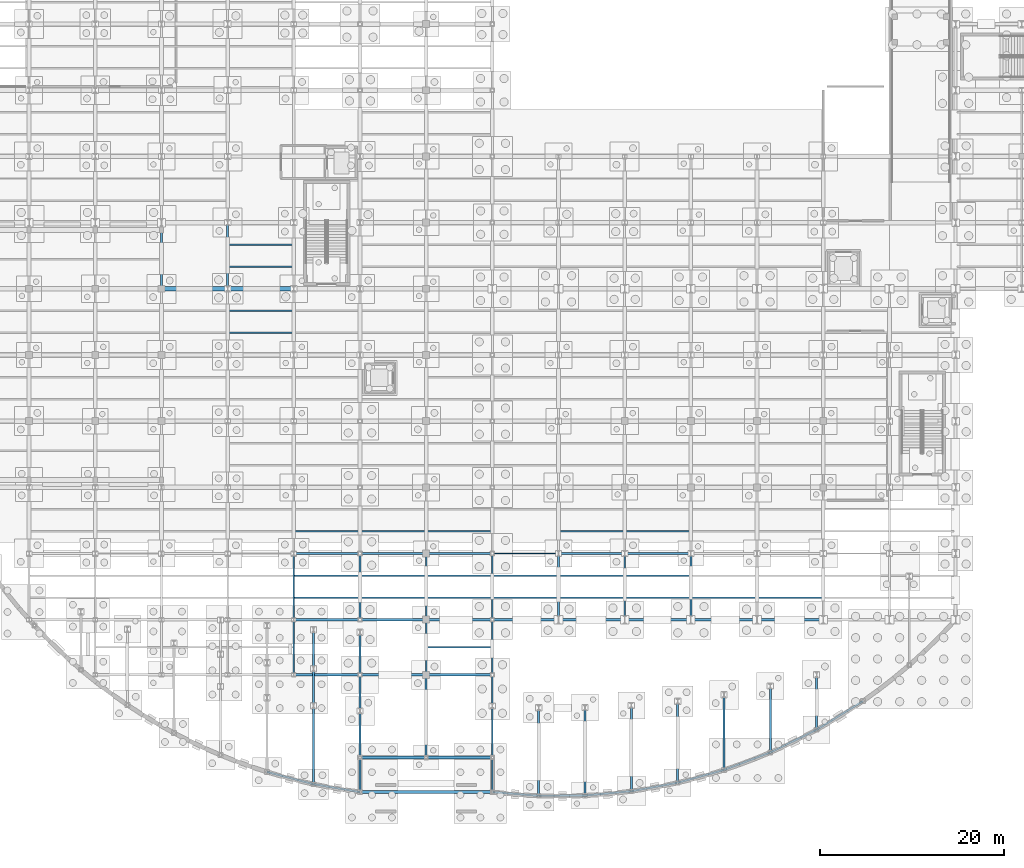
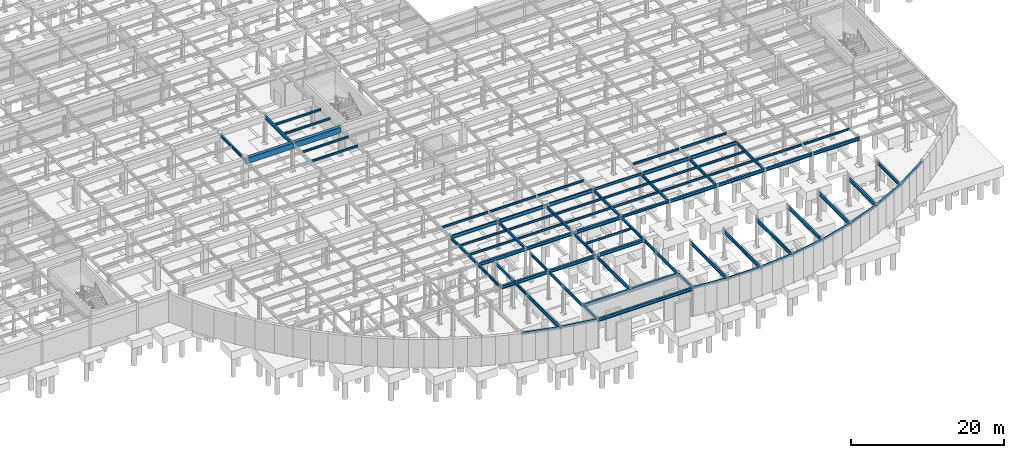
# One storey, part 34 of 64: 86 beams.
"""IFC4 building model written with IfcOpenShell, lengths in metres."""

from ifc_helpers import new_model, si_unit, direction, frame, origin, origin_2d, place, context, subcontext, project, spatial, rectangle, hollow_rectangle, i_section, extrude, material, material_profile, profile_set, type_object, element, save


model = new_model("IFC4")

# Units and contexts
model_context = context("Model", 3, precision=1e-05, world=origin(), true_north=direction((0.0, 1.0)))
body_context = subcontext(model_context, "Body", "Model", "MODEL_VIEW")
ifc_project = project(units=[si_unit("LENGTHUNIT", "METRE"), si_unit("AREAUNIT", "SQUARE_METRE"), si_unit("VOLUMEUNIT", "CUBIC_METRE"), si_unit("PLANEANGLEUNIT", "RADIAN"), si_unit("MASSUNIT", "GRAM", prefix="KILO")], contexts=[model_context])

# Site, building, storey
site_placement = place(None, origin())
site = spatial("IfcSite", under=ifc_project, at=site_placement, CompositionType="ELEMENT")
building_placement = place(site_placement, origin())
building = spatial("IfcBuilding", under=site, at=building_placement, Name="Solvadek Multi-Sports Hall", CompositionType="ELEMENT")
storey_placement = place(building_placement, frame((0.0, 0.0, -4.800048828125)))
storey = spatial("IfcBuildingStorey", under=building, at=storey_placement, Name="B1", CompositionType="ELEMENT", Elevation=-4.800048828125)

# Beams
ifc_material_1 = material(Name="Steel E350 (350 MPa)", Category="steel")
ifc_material_profile_1 = material_profile(ifc_material_1, i_section(OverallWidth=0.139892578125, OverallDepth=0.39990234375, WebThickness=0.0087890625, FlangeThickness=0.01611328125, at=origin_2d()), Name="ISMB 400")
ifc_profile_set_1 = profile_set([ifc_material_profile_1], Name="Steel E350 (350 MPa)")
beam_type_1 = type_object("IfcBeamType", Name="STR-BM-ISMB400", PredefinedType="BEAM", material=ifc_profile_set_1)
beam_1_placement = place(storey_placement, frame((86.39990234375, 13.199951171875, 4.35009765625), z_axis=(1.0, 0.0, 0.0), x_axis=(0.0, 1.0, 0.0)))
element("IfcBeam", 1, at=beam_1_placement, inside=storey, type_object=beam_type_1, Name="B1 Girder B-10 #31", PredefinedType="BEAM", context=body_context, shape_type="SweptSolid", body=[
    extrude(i_section(OverallWidth=0.139892578125, OverallDepth=0.39990234375, WebThickness=0.0087890625, FlangeThickness=0.01611328125, at=origin_2d()), origin(), (0.0, 0.0, 1.0), 7.2001953125),
])
ifc_material_profile_2 = material_profile(ifc_material_1, i_section(OverallWidth=0.18994140625, OverallDepth=0.550048828125, WebThickness=0.01123046875, FlangeThickness=0.019287109375, at=origin_2d()), Name="ISMB 550")
ifc_profile_set_2 = profile_set([ifc_material_profile_2], Name="Steel E350 (350 MPa)")
beam_type_2 = type_object("IfcBeamType", Name="STR-BM-ISMB550", PredefinedType="BEAM", material=ifc_profile_set_2)
for number, where, z_axis, x_axis, name in (
    (2, (64.800048828125, 13.199951171875, 4.275146484375), (1.0, 0.0, 0.0), (0.0, 1.0, 0.0), "B1 Girder B-06 #28"),
    (3, (72.0, 13.199951171875, 4.275146484375), (1.0, 0.0, 0.0), (0.0, 1.0, 0.0), "B1 Girder B-06 #29"),
    (4, (79.199951171875, 13.199951171875, 4.275146484375), (1.0, 0.0, 0.0), (0.0, 1.0, 0.0), "B1 Girder B-06 #30"),
    (5, (93.60009765625, 13.199951171875, 4.275146484375), (1.0, 0.0, 0.0), (0.0, 1.0, 0.0), "B1 Girder B-06 #32"),
    (6, (100.800048828125, 13.199951171875, 4.275146484375), (1.0, 0.0, 0.0), (0.0, 1.0, 0.0), "B1 Girder B-06 #33"),
):
    element("IfcBeam", number, at=place(storey_placement, frame(where, z_axis=z_axis, x_axis=x_axis)), inside=storey, type_object=beam_type_2, Name=name, PredefinedType="BEAM", context=body_context, shape_type="SweptSolid", body=[
        extrude(i_section(OverallWidth=0.18994140625, OverallDepth=0.550048828125, WebThickness=0.01123046875, FlangeThickness=0.019287109375, at=origin_2d()), origin(), (0.0, 0.0, 1.0), 7.199951171875),
    ])
ifc_material_profile_3 = material_profile(ifc_material_1, i_section(OverallWidth=0.18994140625, OverallDepth=0.449951171875, WebThickness=0.009521484375, FlangeThickness=0.0146484375, at=origin_2d()), Name="NPB 450")
ifc_profile_set_3 = profile_set([ifc_material_profile_3], Name="Steel E350 (350 MPa)")
beam_type_3 = type_object("IfcBeamType", Name="STR-BM-NPB450", PredefinedType="BEAM", material=ifc_profile_set_3)
beam_2_placement = place(storey_placement, frame((50.39990234375, 42.0, 4.324951171875), z_axis=(0.0, 1.0, 0.0), x_axis=(-1.0, 0.0, 0.0)))
element("IfcBeam", 7, at=beam_2_placement, inside=storey, type_object=beam_type_3, Name="B1 Girder B-08 #353", PredefinedType="BEAM", context=body_context, shape_type="SweptSolid", body=[
    extrude(i_section(OverallWidth=0.18994140625, OverallDepth=0.449951171875, WebThickness=0.009521484375, FlangeThickness=0.0146484375, at=origin_2d()), origin(), (0.0, 0.0, 1.0), 6.39990234375),
])
beam_3_placement = place(storey_placement, frame((64.800048828125, 0.0, 4.324951171875), z_axis=(0.0, 1.0, 0.0), x_axis=(-1.0, 0.0, 0.0)))
element("IfcBeam", 8, at=beam_3_placement, inside=storey, type_object=beam_type_3, Name="B1 Girder B-08 #384", PredefinedType="BEAM", context=body_context, shape_type="SweptSolid", body=[
    extrude(i_section(OverallWidth=0.18994140625, OverallDepth=0.449951171875, WebThickness=0.009521484375, FlangeThickness=0.0146484375, at=origin_2d()), origin(), (0.0, 0.0, 1.0), 6.0),
])
beam_4_placement = place(storey_placement, frame((64.800048828125, 6.0, 4.324951171875), z_axis=(0.0, 1.0, 0.0), x_axis=(-1.0, 0.0, 0.0)))
element("IfcBeam", 9, at=beam_4_placement, inside=storey, type_object=beam_type_3, Name="B1 Girder B-08 #385", PredefinedType="BEAM", context=body_context, shape_type="SweptSolid", body=[
    extrude(i_section(OverallWidth=0.18994140625, OverallDepth=0.449951171875, WebThickness=0.009521484375, FlangeThickness=0.0146484375, at=origin_2d()), origin(), (0.0, 0.0, 1.0), 7.199951171875),
])
beam_5_placement = place(storey_placement, frame((66.939453125, -3.362060546875, 4.324951171875), z_axis=(0.0, 1.0, 0.0), x_axis=(-1.0, 0.0, 0.0)))
element("IfcBeam", 10, at=beam_5_placement, inside=storey, type_object=beam_type_3, Name="B1 Girder B-08 #399", PredefinedType="BEAM", context=body_context, shape_type="SweptSolid", body=[
    extrude(i_section(OverallWidth=0.18994140625, OverallDepth=0.449951171875, WebThickness=0.009521484375, FlangeThickness=0.0146484375, at=origin_2d()), origin(), (0.0, 0.0, 1.0), 4.01513671875),
])
beam_6_placement = place(storey_placement, frame((66.939453125, 0.653076171875, 4.324951171875), z_axis=(0.0, 1.0, 0.0), x_axis=(-1.0, 0.0, 0.0)))
element("IfcBeam", 11, at=beam_6_placement, inside=storey, type_object=beam_type_3, Name="B1 Girder B-08 #400", PredefinedType="BEAM", context=body_context, shape_type="SweptSolid", body=[
    extrude(i_section(OverallWidth=0.18994140625, OverallDepth=0.449951171875, WebThickness=0.009521484375, FlangeThickness=0.0146484375, at=origin_2d()), origin(), (0.0, 0.0, 1.0), 4.265869140625),
])
beam_7_placement = place(storey_placement, frame((72.0, -12.7529296875, 4.324951171875), z_axis=(0.0, 1.0, 0.0), x_axis=(-1.0, 0.0, 0.0)))
element("IfcBeam", 12, at=beam_7_placement, inside=storey, type_object=beam_type_3, Name="B1 Girder B-08 #401", PredefinedType="BEAM", context=body_context, shape_type="SweptSolid", body=[
    extrude(i_section(OverallWidth=0.18994140625, OverallDepth=0.449951171875, WebThickness=0.009521484375, FlangeThickness=0.0146484375, at=origin_2d()), origin(), (0.0, 0.0, 1.0), 3.7529296875),
])
beam_8_placement = place(storey_placement, frame((72.0, -9.0, 4.324951171875), z_axis=(0.0, 1.0, 0.0), x_axis=(-1.0, 0.0, 0.0)))
element("IfcBeam", 13, at=beam_8_placement, inside=storey, type_object=beam_type_3, Name="B1 Girder B-08 #402", PredefinedType="BEAM", context=body_context, shape_type="SweptSolid", body=[
    extrude(i_section(OverallWidth=0.18994140625, OverallDepth=0.449951171875, WebThickness=0.009521484375, FlangeThickness=0.0146484375, at=origin_2d()), origin(), (0.0, 0.0, 1.0), 5.071044921875),
])
beam_9_placement = place(storey_placement, frame((72.0, -3.928955078125, 4.324951171875), z_axis=(0.0, 1.0, 0.0), x_axis=(-1.0, 0.0, 0.0)))
element("IfcBeam", 14, at=beam_9_placement, inside=storey, type_object=beam_type_3, Name="B1 Girder B-08 #403", PredefinedType="BEAM", context=body_context, shape_type="SweptSolid", body=[
    extrude(i_section(OverallWidth=0.18994140625, OverallDepth=0.449951171875, WebThickness=0.009521484375, FlangeThickness=0.0146484375, at=origin_2d()), origin(), (0.0, 0.0, 1.0), 3.928955078125),
])
beam_10_placement = place(storey_placement, frame((72.0, 0.0, 4.324951171875), z_axis=(0.0, 1.0, 0.0), x_axis=(-1.0, 0.0, 0.0)))
element("IfcBeam", 15, at=beam_10_placement, inside=storey, type_object=beam_type_3, Name="B1 Girder B-08 #404", PredefinedType="BEAM", context=body_context, shape_type="SweptSolid", body=[
    extrude(i_section(OverallWidth=0.18994140625, OverallDepth=0.449951171875, WebThickness=0.009521484375, FlangeThickness=0.0146484375, at=origin_2d()), origin(), (0.0, 0.0, 1.0), 4.635498046875),
])
beam_11_placement = place(storey_placement, frame((72.0, 6.0, 4.324951171875), z_axis=(0.0, 1.0, 0.0), x_axis=(-1.0, 0.0, 0.0)))
element("IfcBeam", 16, at=beam_11_placement, inside=storey, type_object=beam_type_3, Name="B1 Girder B-08 #405", PredefinedType="BEAM", context=body_context, shape_type="SweptSolid", body=[
    extrude(i_section(OverallWidth=0.18994140625, OverallDepth=0.449951171875, WebThickness=0.009521484375, FlangeThickness=0.0146484375, at=origin_2d()), origin(), (0.0, 0.0, 1.0), 7.199951171875),
])
beam_12_placement = place(storey_placement, frame((79.199951171875, 0.0, 4.324951171875), z_axis=(0.0, 1.0, 0.0), x_axis=(-1.0, 0.0, 0.0)))
element("IfcBeam", 17, at=beam_12_placement, inside=storey, type_object=beam_type_3, Name="B1 Girder B-08 #420", PredefinedType="BEAM", context=body_context, shape_type="SweptSolid", body=[
    extrude(i_section(OverallWidth=0.18994140625, OverallDepth=0.449951171875, WebThickness=0.009521484375, FlangeThickness=0.0146484375, at=origin_2d()), origin(), (0.0, 0.0, 1.0), 6.0),
])
beam_13_placement = place(storey_placement, frame((79.199951171875, 6.0, 4.324951171875), z_axis=(0.0, 1.0, 0.0), x_axis=(-1.0, 0.0, 0.0)))
element("IfcBeam", 18, at=beam_13_placement, inside=storey, type_object=beam_type_3, Name="B1 Girder B-08 #421", PredefinedType="BEAM", context=body_context, shape_type="SweptSolid", body=[
    extrude(i_section(OverallWidth=0.18994140625, OverallDepth=0.449951171875, WebThickness=0.009521484375, FlangeThickness=0.0146484375, at=origin_2d()), origin(), (0.0, 0.0, 1.0), 7.199951171875),
])
beam_14_placement = place(storey_placement, frame((86.39990234375, -12.7529296875, 4.324951171875), z_axis=(0.0, 1.0, 0.0), x_axis=(-1.0, 0.0, 0.0)))
element("IfcBeam", 19, at=beam_14_placement, inside=storey, type_object=beam_type_3, Name="B1 Girder B-08 #433", PredefinedType="BEAM", context=body_context, shape_type="SweptSolid", body=[
    extrude(i_section(OverallWidth=0.18994140625, OverallDepth=0.449951171875, WebThickness=0.009521484375, FlangeThickness=0.0146484375, at=origin_2d()), origin(), (0.0, 0.0, 1.0), 3.7529296875),
])
beam_15_placement = place(storey_placement, frame((86.39990234375, -9.0, 4.324951171875), z_axis=(0.0, 1.0, 0.0), x_axis=(-1.0, 0.0, 0.0)))
element("IfcBeam", 20, at=beam_15_placement, inside=storey, type_object=beam_type_3, Name="B1 Girder B-08 #434", PredefinedType="BEAM", context=body_context, shape_type="SweptSolid", body=[
    extrude(i_section(OverallWidth=0.18994140625, OverallDepth=0.449951171875, WebThickness=0.009521484375, FlangeThickness=0.0146484375, at=origin_2d()), origin(), (0.0, 0.0, 1.0), 5.62353515625),
])
beam_16_placement = place(storey_placement, frame((86.39990234375, -3.37646484375, 4.324951171875), z_axis=(0.0, 1.0, 0.0), x_axis=(-1.0, 0.0, 0.0)))
element("IfcBeam", 21, at=beam_16_placement, inside=storey, type_object=beam_type_3, Name="B1 Girder B-08 #435", PredefinedType="BEAM", context=body_context, shape_type="SweptSolid", body=[
    extrude(i_section(OverallWidth=0.18994140625, OverallDepth=0.449951171875, WebThickness=0.009521484375, FlangeThickness=0.0146484375, at=origin_2d()), origin(), (0.0, 0.0, 1.0), 3.37646484375),
])
beam_17_placement = place(storey_placement, frame((86.39990234375, 0.0, 4.324951171875), z_axis=(0.0, 1.0, 0.0), x_axis=(-1.0, 0.0, 0.0)))
element("IfcBeam", 22, at=beam_17_placement, inside=storey, type_object=beam_type_3, Name="B1 Girder B-08 #436", PredefinedType="BEAM", context=body_context, shape_type="SweptSolid", body=[
    extrude(i_section(OverallWidth=0.18994140625, OverallDepth=0.449951171875, WebThickness=0.009521484375, FlangeThickness=0.0146484375, at=origin_2d()), origin(), (0.0, 0.0, 1.0), 6.0),
])
for number, where, z_axis, x_axis, name in (
    (23, (86.39990234375, 6.0, 4.324951171875), (0.0, 1.0, 0.0), (-1.0, 0.0, 0.0), "B1 Girder B-08 #437"),
    (24, (93.60009765625, 6.0, 4.324951171875), (0.0, 1.0, 0.0), (-1.0, 0.0, 0.0), "B1 Girder B-08 #452"),
    (25, (100.800048828125, 6.0, 4.324951171875), (0.0, 1.0, 0.0), (-1.0, 0.0, 0.0), "B1 Girder B-08 #460"),
    (26, (108.0, 6.0, 4.324951171875), (0.0, 1.0, 0.0), (-1.0, 0.0, 0.0), "B1 Girder B-08 #469"),
):
    element("IfcBeam", number, at=place(storey_placement, frame(where, z_axis=z_axis, x_axis=x_axis)), inside=storey, type_object=beam_type_3, Name=name, PredefinedType="BEAM", context=body_context, shape_type="SweptSolid", body=[
        extrude(i_section(OverallWidth=0.18994140625, OverallDepth=0.449951171875, WebThickness=0.009521484375, FlangeThickness=0.0146484375, at=origin_2d()), origin(), (0.0, 0.0, 1.0), 7.199951171875),
    ])
beam_18_placement = place(storey_placement, frame((121.679931640625, -5.97802734375, 4.324951171875), z_axis=(0.0, 1.0, 0.0), x_axis=(-1.0, 0.0, 0.0)))
element("IfcBeam", 27, at=beam_18_placement, inside=storey, type_object=beam_type_3, Name="B1 Girder B-08 #485", PredefinedType="BEAM", context=body_context, shape_type="SweptSolid", body=[
    extrude(i_section(OverallWidth=0.18994140625, OverallDepth=0.449951171875, WebThickness=0.009521484375, FlangeThickness=0.0146484375, at=origin_2d()), origin(), (0.0, 0.0, 1.0), 5.989013671875),
])
ifc_material_profile_4 = material_profile(ifc_material_1, i_section(OverallWidth=0.2099609375, OverallDepth=0.550048828125, WebThickness=0.010986328125, FlangeThickness=0.01708984375, at=origin_2d()), Name="NPB 550")
ifc_profile_set_4 = profile_set([ifc_material_profile_4], Name="Steel E350 (350 MPa)")
beam_type_4 = type_object("IfcBeamType", Name="STR-BM-NPB550", PredefinedType="BEAM", material=ifc_profile_set_4)
beam_19_placement = place(storey_placement, frame((57.60009765625, 42.0, 4.275146484375), z_axis=(0.0, 1.0, 0.0), x_axis=(-1.0, 0.0, 0.0)))
element("IfcBeam", 28, at=beam_19_placement, inside=storey, type_object=beam_type_4, Name="B1 Girder B-05 #372", PredefinedType="BEAM", context=body_context, shape_type="SweptSolid", body=[
    extrude(i_section(OverallWidth=0.2099609375, OverallDepth=0.550048828125, WebThickness=0.010986328125, FlangeThickness=0.01708984375, at=origin_2d()), origin(), (0.0, 0.0, 1.0), 7.199951171875),
])
beam_20_placement = place(storey_placement, frame((66.939453125, -11.893798828125, 4.275146484375), z_axis=(0.0, 1.0, 0.0), x_axis=(-1.0, 0.0, 0.0)))
element("IfcBeam", 29, at=beam_20_placement, inside=storey, type_object=beam_type_4, Name="B1 Girder B-05 #398", PredefinedType="BEAM", context=body_context, shape_type="SweptSolid", body=[
    extrude(i_section(OverallWidth=0.2099609375, OverallDepth=0.550048828125, WebThickness=0.010986328125, FlangeThickness=0.01708984375, at=origin_2d()), origin(), (0.0, 0.0, 1.0), 8.53173828125),
])
beam_21_placement = place(storey_placement, frame((79.199951171875, -9.0, 4.275146484375), z_axis=(0.0, 1.0, 0.0), x_axis=(-1.0, 0.0, 0.0)))
element("IfcBeam", 30, at=beam_21_placement, inside=storey, type_object=beam_type_4, Name="B1 Girder B-05 #419", PredefinedType="BEAM", context=body_context, shape_type="SweptSolid", body=[
    extrude(i_section(OverallWidth=0.2099609375, OverallDepth=0.550048828125, WebThickness=0.010986328125, FlangeThickness=0.01708984375, at=origin_2d()), origin(), (0.0, 0.0, 1.0), 9.0),
])
beam_22_placement = place(storey_placement, frame((91.43994140625, -13.159912109375, 4.275146484375), z_axis=(0.0, 1.0, 0.0), x_axis=(-1.0, 0.0, 0.0)))
element("IfcBeam", 31, at=beam_22_placement, inside=storey, type_object=beam_type_4, Name="B1 Girder B-05 #451", PredefinedType="BEAM", context=body_context, shape_type="SweptSolid", body=[
    extrude(i_section(OverallWidth=0.2099609375, OverallDepth=0.550048828125, WebThickness=0.010986328125, FlangeThickness=0.01708984375, at=origin_2d()), origin(), (0.0, 0.0, 1.0), 9.579833984375),
])
beam_23_placement = place(storey_placement, frame((96.47998046875, -13.128662109375, 4.275146484375), z_axis=(0.0, 1.0, 0.0), x_axis=(-1.0, 0.0, 0.0)))
element("IfcBeam", 32, at=beam_23_placement, inside=storey, type_object=beam_type_4, Name="B1 Girder B-05 #459", PredefinedType="BEAM", context=body_context, shape_type="SweptSolid", body=[
    extrude(i_section(OverallWidth=0.2099609375, OverallDepth=0.550048828125, WebThickness=0.010986328125, FlangeThickness=0.01708984375, at=origin_2d()), origin(), (0.0, 0.0, 1.0), 9.564208984375),
])
beam_24_placement = place(storey_placement, frame((101.52001953125, -12.65869140625, 4.275146484375), z_axis=(0.0, 1.0, 0.0), x_axis=(-1.0, 0.0, 0.0)))
element("IfcBeam", 33, at=beam_24_placement, inside=storey, type_object=beam_type_4, Name="B1 Girder B-05 #467", PredefinedType="BEAM", context=body_context, shape_type="SweptSolid", body=[
    extrude(i_section(OverallWidth=0.2099609375, OverallDepth=0.550048828125, WebThickness=0.010986328125, FlangeThickness=0.01708984375, at=origin_2d()), origin(), (0.0, 0.0, 1.0), 9.329345703125),
])
beam_25_placement = place(storey_placement, frame((106.56005859375, -11.73876953125, 4.275146484375), z_axis=(0.0, 1.0, 0.0), x_axis=(-1.0, 0.0, 0.0)))
element("IfcBeam", 34, at=beam_25_placement, inside=storey, type_object=beam_type_4, Name="B1 Girder B-05 #468", PredefinedType="BEAM", context=body_context, shape_type="SweptSolid", body=[
    extrude(i_section(OverallWidth=0.2099609375, OverallDepth=0.550048828125, WebThickness=0.010986328125, FlangeThickness=0.01708984375, at=origin_2d()), origin(), (0.0, 0.0, 1.0), 8.869384765625),
])
beam_26_placement = place(storey_placement, frame((111.60009765625, -10.346435546875, 4.275146484375), z_axis=(0.0, 1.0, 0.0), x_axis=(-1.0, 0.0, 0.0)))
element("IfcBeam", 35, at=beam_26_placement, inside=storey, type_object=beam_type_4, Name="B1 Girder B-05 #476", PredefinedType="BEAM", context=body_context, shape_type="SweptSolid", body=[
    extrude(i_section(OverallWidth=0.2099609375, OverallDepth=0.550048828125, WebThickness=0.010986328125, FlangeThickness=0.01708984375, at=origin_2d()), origin(), (0.0, 0.0, 1.0), 8.173095703125),
])
beam_27_placement = place(storey_placement, frame((116.639892578125, -8.4453125, 4.275146484375), z_axis=(0.0, 1.0, 0.0), x_axis=(-1.0, 0.0, 0.0)))
element("IfcBeam", 36, at=beam_27_placement, inside=storey, type_object=beam_type_4, Name="B1 Girder B-05 #484", PredefinedType="BEAM", context=body_context, shape_type="SweptSolid", body=[
    extrude(i_section(OverallWidth=0.2099609375, OverallDepth=0.550048828125, WebThickness=0.010986328125, FlangeThickness=0.01708984375, at=origin_2d()), origin(), (0.0, 0.0, 1.0), 7.22265625),
])
ifc_material_profile_5 = material_profile(ifc_material_1, i_section(OverallWidth=0.159912109375, OverallDepth=0.330078125, WebThickness=0.007568359375, FlangeThickness=0.011474609375, at=origin_2d()), Name="NPB 330")
ifc_profile_set_5 = profile_set([ifc_material_profile_5], Name="Steel E350 (350 MPa)")
beam_type_5 = type_object("IfcBeamType", Name="STR-JST-NPB330", PredefinedType="JOIST", material=ifc_profile_set_5)
for number, where, z_axis, x_axis, name in (
    (37, (79.294921875, 3.0, 4.385009765625), (1.0, 0.0, 0.0), (0.0, 1.0, 0.0), "B1 Composite Joist J-02 #4"),
    (38, (64.89501953125, 8.39990234375, 4.385009765625), (1.0, 0.0, 0.0), (0.0, 1.0, 0.0), "B1 Composite Joist J-02 #13"),
    (39, (64.89501953125, 10.800048828125, 4.385009765625), (1.0, 0.0, 0.0), (0.0, 1.0, 0.0), "B1 Composite Joist J-02 #14"),
    (40, (72.094970703125, 8.39990234375, 4.385009765625), (1.0, 0.0, 0.0), (0.0, 1.0, 0.0), "B1 Composite Joist J-02 #15"),
    (41, (72.094970703125, 10.800048828125, 4.385009765625), (1.0, 0.0, 0.0), (0.0, 1.0, 0.0), "B1 Composite Joist J-02 #16"),
    (42, (79.294921875, 8.39990234375, 4.385009765625), (1.0, 0.0, 0.0), (0.0, 1.0, 0.0), "B1 Composite Joist J-02 #17"),
    (43, (79.294921875, 10.800048828125, 4.385009765625), (1.0, 0.0, 0.0), (0.0, 1.0, 0.0), "B1 Composite Joist J-02 #18"),
):
    element("IfcBeam", number, at=place(storey_placement, frame(where, z_axis=z_axis, x_axis=x_axis)), inside=storey, type_object=beam_type_5, Name=name, PredefinedType="JOIST", context=body_context, shape_type="SweptSolid", body=[
        extrude(i_section(OverallWidth=0.159912109375, OverallDepth=0.330078125, WebThickness=0.007568359375, FlangeThickness=0.011474609375, at=origin_2d()), origin(), (0.0, 0.0, 1.0), 7.010009765625),
    ])
for number, where, z_axis, x_axis, name in (
    (44, (86.4951171875, 8.39990234375, 4.385009765625), (1.0, 0.0, 0.0), (0.0, 1.0, 0.0), "B1 Composite Joist J-02 #19"),
    (45, (86.4951171875, 10.800048828125, 4.385009765625), (1.0, 0.0, 0.0), (0.0, 1.0, 0.0), "B1 Composite Joist J-02 #20"),
):
    element("IfcBeam", number, at=place(storey_placement, frame(where, z_axis=z_axis, x_axis=x_axis)), inside=storey, type_object=beam_type_5, Name=name, PredefinedType="JOIST", context=body_context, shape_type="SweptSolid", body=[
        extrude(i_section(OverallWidth=0.159912109375, OverallDepth=0.330078125, WebThickness=0.007568359375, FlangeThickness=0.011474609375, at=origin_2d()), origin(), (0.0, 0.0, 1.0), 7.009765625),
    ])
for number, where, z_axis, x_axis, name in (
    (46, (93.695068359375, 8.39990234375, 4.385009765625), (1.0, 0.0, 0.0), (0.0, 1.0, 0.0), "B1 Composite Joist J-02 #21"),
    (47, (93.695068359375, 10.800048828125, 4.385009765625), (1.0, 0.0, 0.0), (0.0, 1.0, 0.0), "B1 Composite Joist J-02 #22"),
    (48, (100.89501953125, 8.39990234375, 4.385009765625), (1.0, 0.0, 0.0), (0.0, 1.0, 0.0), "B1 Composite Joist J-02 #23"),
    (49, (100.89501953125, 10.800048828125, 4.385009765625), (1.0, 0.0, 0.0), (0.0, 1.0, 0.0), "B1 Composite Joist J-02 #24"),
    (50, (108.094970703125, 8.39990234375, 4.385009765625), (1.0, 0.0, 0.0), (0.0, 1.0, 0.0), "B1 Composite Joist J-02 #25"),
    (51, (115.294921875, 8.39990234375, 4.385009765625), (1.0, 0.0, 0.0), (0.0, 1.0, 0.0), "B1 Composite Joist J-02 #27"),
    (52, (64.89501953125, 15.60009765625, 4.385009765625), (1.0, 0.0, 0.0), (0.0, 1.0, 0.0), "B1 Composite Joist J-02 #41"),
    (53, (72.094970703125, 15.60009765625, 4.385009765625), (1.0, 0.0, 0.0), (0.0, 1.0, 0.0), "B1 Composite Joist J-02 #43"),
    (54, (79.294921875, 15.60009765625, 4.385009765625), (1.0, 0.0, 0.0), (0.0, 1.0, 0.0), "B1 Composite Joist J-02 #45"),
    (55, (93.695068359375, 15.60009765625, 4.385009765625), (1.0, 0.0, 0.0), (0.0, 1.0, 0.0), "B1 Composite Joist J-02 #49"),
    (56, (100.89501953125, 15.60009765625, 4.385009765625), (1.0, 0.0, 0.0), (0.0, 1.0, 0.0), "B1 Composite Joist J-02 #51"),
):
    element("IfcBeam", number, at=place(storey_placement, frame(where, z_axis=z_axis, x_axis=x_axis)), inside=storey, type_object=beam_type_5, Name=name, PredefinedType="JOIST", context=body_context, shape_type="SweptSolid", body=[
        extrude(i_section(OverallWidth=0.159912109375, OverallDepth=0.330078125, WebThickness=0.007568359375, FlangeThickness=0.011474609375, at=origin_2d()), origin(), (0.0, 0.0, 1.0), 7.010009765625),
    ])
for number, where, z_axis, x_axis, name in (
    (57, (57.705078125, 37.199951171875, 4.385009765625), (1.0, 0.0, 0.0), (0.0, 1.0, 0.0), "B1 Composite Joist J-02 #137"),
    (58, (57.705078125, 39.60009765625, 4.385009765625), (1.0, 0.0, 0.0), (0.0, 1.0, 0.0), "B1 Composite Joist J-02 #138"),
    (59, (57.705078125, 44.39990234375, 4.385009765625), (1.0, 0.0, 0.0), (0.0, 1.0, 0.0), "B1 Composite Joist J-02 #167"),
    (60, (57.705078125, 46.800048828125, 4.385009765625), (1.0, 0.0, 0.0), (0.0, 1.0, 0.0), "B1 Composite Joist J-02 #168"),
):
    element("IfcBeam", number, at=place(storey_placement, frame(where, z_axis=z_axis, x_axis=x_axis)), inside=storey, type_object=beam_type_5, Name=name, PredefinedType="JOIST", context=body_context, shape_type="SweptSolid", body=[
        extrude(i_section(OverallWidth=0.159912109375, OverallDepth=0.330078125, WebThickness=0.007568359375, FlangeThickness=0.011474609375, at=origin_2d()), origin(), (0.0, 0.0, 1.0), 6.989990234375),
    ])
ifc_material_profile_6 = material_profile(ifc_material_1, hollow_rectangle(XDim=0.199951171875, YDim=0.35009765625, WallThickness=0.011962890625, at=origin_2d()), Name="RHS 350x200x12")
ifc_profile_set_6 = profile_set([ifc_material_profile_6], Name="Steel E350 (350 MPa)")
beam_type_6 = type_object("IfcBeamType", Name="STR-SPN-RHS350", PredefinedType="SPANDREL", material=ifc_profile_set_6)
beam_28_placement = place(storey_placement, frame((61.87890625, -10.562744140625, 4.375), z_axis=(0.967105956873, -0.254373874801, 0.0), x_axis=(0.254373874801, 0.967105956873, 0.0)))
element("IfcBeam", 61, at=beam_28_placement, inside=storey, type_object=beam_type_6, Name="B1 Curved Crescent Spandrel #8", PredefinedType="SPANDREL", context=body_context, shape_type="SweptSolid", body=[
    extrude(hollow_rectangle(XDim=0.199951171875, YDim=0.35009765625, WallThickness=0.011962890625, at=origin_2d()), origin(), (0.0, 0.0, 1.0), 5.232666015625),
])
beam_29_placement = place(storey_placement, frame((66.939453125, -11.893798828125, 4.375), z_axis=(0.985893229312, -0.167375447412, 0.0), x_axis=(0.167375447412, 0.985893229312, 0.0)))
element("IfcBeam", 62, at=beam_29_placement, inside=storey, type_object=beam_type_6, Name="B1 Curved Crescent Spandrel #9", PredefinedType="SPANDREL", context=body_context, shape_type="SweptSolid", body=[
    extrude(hollow_rectangle(XDim=0.199951171875, YDim=0.35009765625, WallThickness=0.011962890625, at=origin_2d()), origin(), (0.0, 0.0, 1.0), 5.133056640625),
])
beam_30_placement = place(storey_placement, frame((86.39990234375, -12.7529296875, 4.375), z_axis=(0.996755588376, -0.080487868912, 0.0), x_axis=(0.080487868912, 0.996755588376, 0.0)))
element("IfcBeam", 63, at=beam_30_placement, inside=storey, type_object=beam_type_6, Name="B1 Curved Crescent Spandrel #10", PredefinedType="SPANDREL", context=body_context, shape_type="SweptSolid", body=[
    extrude(hollow_rectangle(XDim=0.199951171875, YDim=0.35009765625, WallThickness=0.011962890625, at=origin_2d()), origin(), (0.0, 0.0, 1.0), 5.056396484375),
])
beam_31_placement = place(storey_placement, frame((91.43994140625, -13.159912109375, 4.375), z_axis=(0.999980778392, 0.006200229589, 0.0), x_axis=(-0.006200229589, 0.999980778392, 0.0)))
element("IfcBeam", 64, at=beam_31_placement, inside=storey, type_object=beam_type_6, Name="B1 Curved Crescent Spandrel #11", PredefinedType="SPANDREL", context=body_context, shape_type="SweptSolid", body=[
    extrude(hollow_rectangle(XDim=0.199951171875, YDim=0.35009765625, WallThickness=0.011962890625, at=origin_2d()), origin(), (0.0, 0.0, 1.0), 5.0400390625),
])
beam_32_placement = place(storey_placement, frame((96.47998046875, -13.128662109375, 4.375), z_axis=(0.995680605948, 0.092844660262, 0.0), x_axis=(-0.092844660262, 0.995680605948, 0.0)))
element("IfcBeam", 65, at=beam_32_placement, inside=storey, type_object=beam_type_6, Name="B1 Curved Crescent Spandrel #12", PredefinedType="SPANDREL", context=body_context, shape_type="SweptSolid", body=[
    extrude(hollow_rectangle(XDim=0.199951171875, YDim=0.35009765625, WallThickness=0.011962890625, at=origin_2d()), origin(), (0.0, 0.0, 1.0), 5.06201171875),
])
beam_33_placement = place(storey_placement, frame((101.52001953125, -12.65869140625, 4.375), z_axis=(0.983747689745, 0.179556350269, 0.0), x_axis=(-0.179556350269, 0.983747689745, 0.0)))
element("IfcBeam", 66, at=beam_33_placement, inside=storey, type_object=beam_type_6, Name="B1 Curved Crescent Spandrel #13", PredefinedType="SPANDREL", context=body_context, shape_type="SweptSolid", body=[
    extrude(hollow_rectangle(XDim=0.199951171875, YDim=0.35009765625, WallThickness=0.011962890625, at=origin_2d()), origin(), (0.0, 0.0, 1.0), 5.123291015625),
])
beam_34_placement = place(storey_placement, frame((106.56005859375, -11.73876953125, 4.375), z_axis=(0.963895559966, 0.266280584116, 0.0), x_axis=(-0.266280584116, 0.963895559966, 0.0)))
element("IfcBeam", 67, at=beam_34_placement, inside=storey, type_object=beam_type_6, Name="B1 Curved Crescent Spandrel #14", PredefinedType="SPANDREL", context=body_context, shape_type="SweptSolid", body=[
    extrude(hollow_rectangle(XDim=0.199951171875, YDim=0.35009765625, WallThickness=0.011962890625, at=origin_2d()), origin(), (0.0, 0.0, 1.0), 5.228759765625),
])
beam_35_placement = place(storey_placement, frame((111.60009765625, -10.346435546875, 4.375), z_axis=(0.935643802821, 0.35294571005, 0.0), x_axis=(-0.35294571005, 0.935643802821, 0.0)))
element("IfcBeam", 68, at=beam_35_placement, inside=storey, type_object=beam_type_6, Name="B1 Curved Crescent Spandrel #15", PredefinedType="SPANDREL", context=body_context, shape_type="SweptSolid", body=[
    extrude(hollow_rectangle(XDim=0.199951171875, YDim=0.35009765625, WallThickness=0.011962890625, at=origin_2d()), origin(), (0.0, 0.0, 1.0), 5.386474609375),
])
beam_36_placement = place(storey_placement, frame((116.639892578125, -8.4453125, 4.375), z_axis=(0.898154583189, 0.43967982066, 0.0), x_axis=(-0.43967982066, 0.898154583189, 0.0)))
element("IfcBeam", 69, at=beam_36_placement, inside=storey, type_object=beam_type_6, Name="B1 Curved Crescent Spandrel #16", PredefinedType="SPANDREL", context=body_context, shape_type="SweptSolid", body=[
    extrude(hollow_rectangle(XDim=0.199951171875, YDim=0.35009765625, WallThickness=0.011962890625, at=origin_2d()), origin(), (0.0, 0.0, 1.0), 5.611572265625),
])
beam_37_placement = place(storey_placement, frame((121.679931640625, -5.97802734375, 4.375), z_axis=(0.850202824587, 0.526455275465, 0.0), x_axis=(-0.526455275465, 0.850202824587, 0.0)))
element("IfcBeam", 70, at=beam_37_placement, inside=storey, type_object=beam_type_6, Name="B1 Curved Crescent Spandrel #17", PredefinedType="SPANDREL", context=body_context, shape_type="SweptSolid", body=[
    extrude(hollow_rectangle(XDim=0.199951171875, YDim=0.35009765625, WallThickness=0.011962890625, at=origin_2d()), origin(), (0.0, 0.0, 1.0), 5.927978515625),
])
ifc_material_profile_7 = material_profile(ifc_material_1, i_section(OverallWidth=0.300048828125, OverallDepth=0.39990234375, WebThickness=0.013427734375, FlangeThickness=0.02392578125, at=origin_2d()), Name="WPB 400")
ifc_profile_set_7 = profile_set([ifc_material_profile_7], Name="Steel E350 (350 MPa)")
beam_type_7 = type_object("IfcBeamType", Name="STR-SPN-WPB400", PredefinedType="SPANDREL", material=ifc_profile_set_7)
beam_38_placement = place(storey_placement, frame((86.39990234375, 6.0, 4.35009765625), z_axis=(1.0, 0.0, 0.0), x_axis=(0.0, 1.0, 0.0)))
element("IfcBeam", 71, at=beam_38_placement, inside=storey, type_object=beam_type_7, Name="B1 Girder SP-02 #17", PredefinedType="SPANDREL", context=body_context, shape_type="SweptSolid", body=[
    extrude(i_section(OverallWidth=0.300048828125, OverallDepth=0.39990234375, WebThickness=0.013427734375, FlangeThickness=0.02392578125, at=origin_2d()), origin(), (0.0, 0.0, 1.0), 7.2001953125),
])
ifc_material_profile_8 = material_profile(ifc_material_1, i_section(OverallWidth=0.300048828125, OverallDepth=0.5, WebThickness=0.014404296875, FlangeThickness=0.028076171875, at=origin_2d()), Name="WPB 500")
ifc_profile_set_8 = profile_set([ifc_material_profile_8], Name="Steel E350 (350 MPa)")
beam_type_8 = type_object("IfcBeamType", Name="STR-SPN-WPB500", PredefinedType="SPANDREL", material=ifc_profile_set_8)
beam_39_placement = place(storey_placement, frame((72.0, -12.7529296875, 4.300048828125), z_axis=(1.0, 0.0, 0.0), x_axis=(0.0, 1.0, 0.0)))
element("IfcBeam", 72, at=beam_39_placement, inside=storey, type_object=beam_type_8, Name="B1 Girder SP-01 #1", PredefinedType="SPANDREL", context=body_context, shape_type="SweptSolid", body=[
    extrude(i_section(OverallWidth=0.300048828125, OverallDepth=0.5, WebThickness=0.014404296875, FlangeThickness=0.028076171875, at=origin_2d()), origin(), (0.0, 0.0, 1.0), 14.39990234375),
])
for number, where, z_axis, x_axis, name in (
    (73, (72.0, -9.0, 4.300048828125), (1.0, 0.0, 0.0), (0.0, 1.0, 0.0), "B1 Girder SP-01 #2"),
    (74, (79.199951171875, -9.0, 4.300048828125), (1.0, 0.0, 0.0), (0.0, 1.0, 0.0), "B1 Girder SP-01 #3"),
    (75, (64.800048828125, 0.0, 4.300048828125), (1.0, 0.0, 0.0), (0.0, 1.0, 0.0), "B1 Girder SP-01 #7"),
    (76, (72.0, 0.0, 4.300048828125), (1.0, 0.0, 0.0), (0.0, 1.0, 0.0), "B1 Girder SP-01 #8"),
    (77, (79.199951171875, 0.0, 4.300048828125), (1.0, 0.0, 0.0), (0.0, 1.0, 0.0), "B1 Girder SP-01 #9"),
    (78, (64.800048828125, 6.0, 4.300048828125), (1.0, 0.0, 0.0), (0.0, 1.0, 0.0), "B1 Girder SP-01 #14"),
    (79, (72.0, 6.0, 4.300048828125), (1.0, 0.0, 0.0), (0.0, 1.0, 0.0), "B1 Girder SP-01 #15"),
    (80, (79.199951171875, 6.0, 4.300048828125), (1.0, 0.0, 0.0), (0.0, 1.0, 0.0), "B1 Girder SP-01 #16"),
    (81, (93.60009765625, 6.0, 4.300048828125), (1.0, 0.0, 0.0), (0.0, 1.0, 0.0), "B1 Girder SP-01 #18"),
    (82, (100.800048828125, 6.0, 4.300048828125), (1.0, 0.0, 0.0), (0.0, 1.0, 0.0), "B1 Girder SP-01 #19"),
    (83, (108.0, 6.0, 4.300048828125), (1.0, 0.0, 0.0), (0.0, 1.0, 0.0), "B1 Girder SP-01 #20"),
    (84, (115.199951171875, 6.0, 4.300048828125), (1.0, 0.0, 0.0), (0.0, 1.0, 0.0), "B1 Girder SP-01 #21"),
):
    element("IfcBeam", number, at=place(storey_placement, frame(where, z_axis=z_axis, x_axis=x_axis)), inside=storey, type_object=beam_type_8, Name=name, PredefinedType="SPANDREL", context=body_context, shape_type="SweptSolid", body=[
        extrude(i_section(OverallWidth=0.300048828125, OverallDepth=0.5, WebThickness=0.014404296875, FlangeThickness=0.028076171875, at=origin_2d()), origin(), (0.0, 0.0, 1.0), 7.199951171875),
    ])
ifc_material_2 = material(Name="Concrete M35", Category="concrete")
ifc_material_profile_9 = material_profile(ifc_material_2, rectangle(XDim=0.5, YDim=0.89990234375, at=origin_2d()), Name="RC T-BEAM 500x900")
ifc_profile_set_9 = profile_set([ifc_material_profile_9], Name="Concrete M35")
beam_type_9 = type_object("IfcBeamType", Name="STR-TBM-500X900", PredefinedType="T_BEAM", material=ifc_profile_set_9)
beam_40_placement = place(storey_placement, frame((50.39990234375, 42.0, 4.10009765625), z_axis=(1.0, 0.0, 0.0), x_axis=(0.0, 1.0, 0.0)))
element("IfcBeam", 85, at=beam_40_placement, inside=storey, type_object=beam_type_9, Name="B1 Girder TB-02 #103", PredefinedType="T_BEAM", context=body_context, shape_type="SweptSolid", body=[
    extrude(rectangle(XDim=0.5, YDim=0.89990234375, at=origin_2d()), origin(), (0.0, 0.0, 1.0), 7.2001953125),
])
beam_41_placement = place(storey_placement, frame((57.60009765625, 42.0, 4.10009765625), z_axis=(1.0, 0.0, 0.0), x_axis=(0.0, 1.0, 0.0)))
element("IfcBeam", 86, at=beam_41_placement, inside=storey, type_object=beam_type_9, Name="B1 Girder TB-02 #104", PredefinedType="T_BEAM", context=body_context, shape_type="SweptSolid", body=[
    extrude(rectangle(XDim=0.5, YDim=0.89990234375, at=origin_2d()), origin(), (0.0, 0.0, 1.0), 7.199951171875),
])

save(model, "model.ifc")
